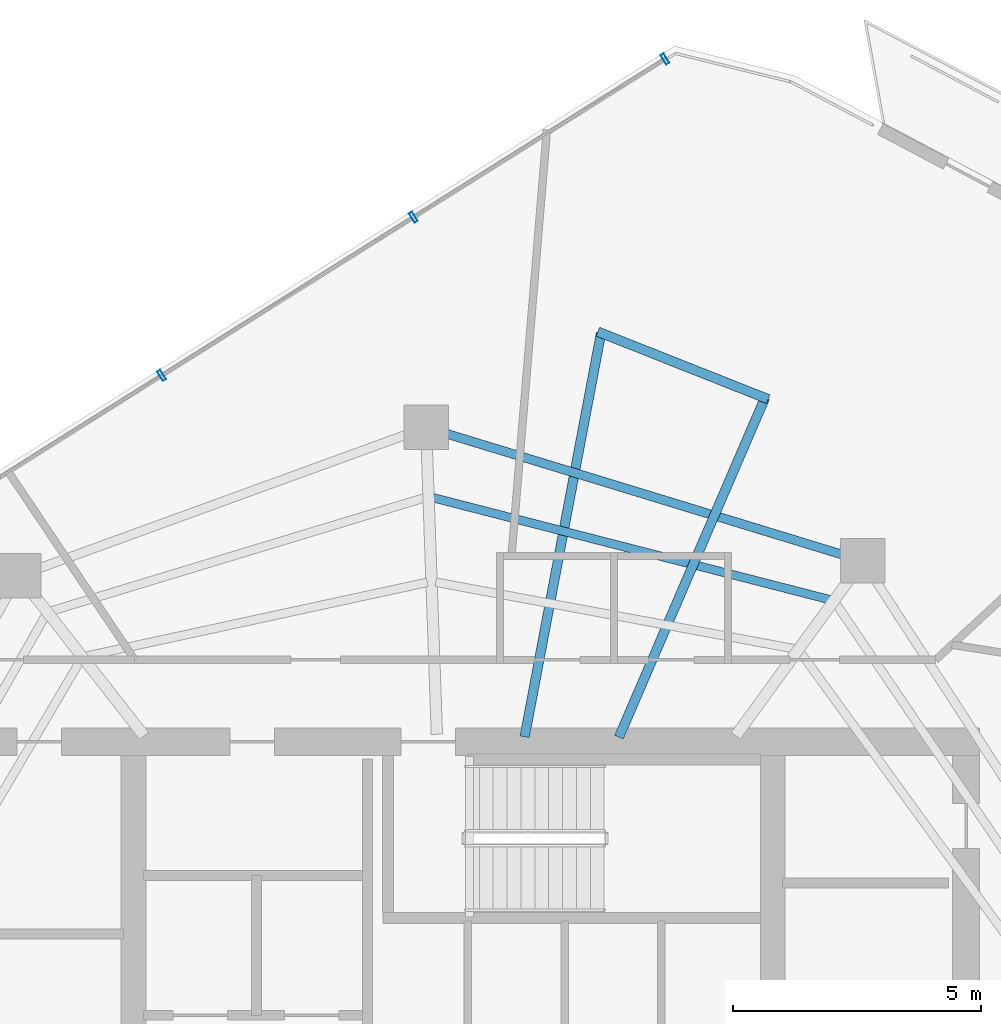
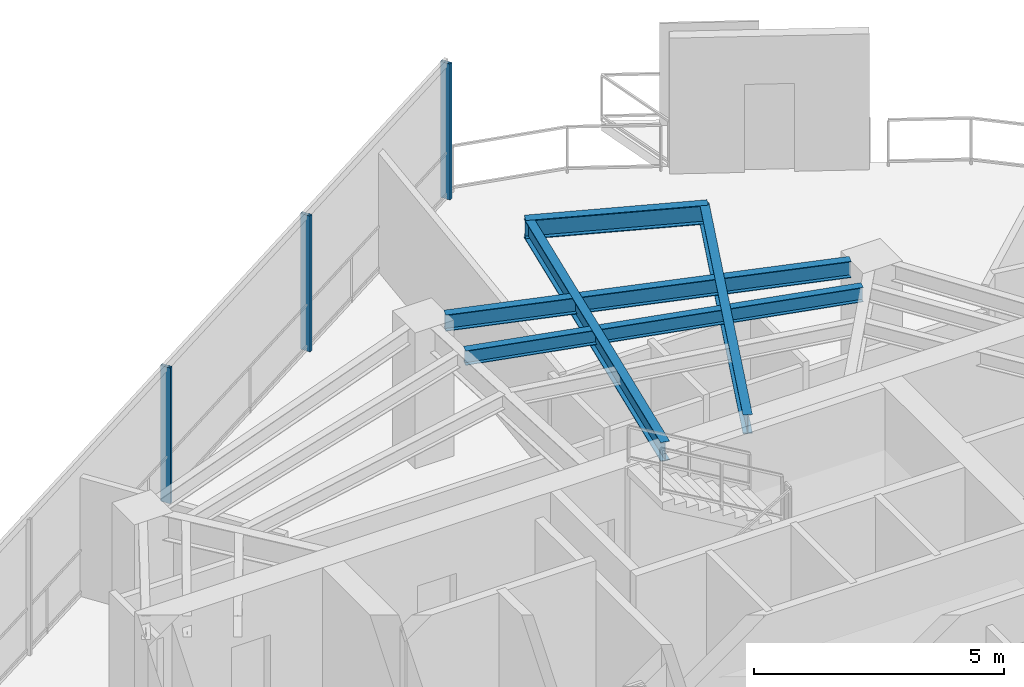
# One storey, part 12 of 19: 5 beams, 3 members, 1 element without a shape of its own.
"""IFC4 building model written with IfcOpenShell, lengths in metres."""

from ifc_helpers import new_model, si_unit, direction, frame, origin, origin_2d, place, context, subcontext, project, spatial, hollow_rectangle, i_section, extrude, material, layer, layer_set, material_profile, profile_set, type_object, element, aggregate, save


model = new_model("IFC4")

# Units and contexts
model_context = context("Model", 3, precision=1e-05, world=origin(), true_north=direction((0.0, 1.0)))
body_context = subcontext(model_context, "Body", "Model", "MODEL_VIEW")
ifc_project = project(units=[si_unit("LENGTHUNIT", "METRE"), si_unit("AREAUNIT", "SQUARE_METRE"), si_unit("VOLUMEUNIT", "CUBIC_METRE"), si_unit("PLANEANGLEUNIT", "RADIAN"), si_unit("MASSUNIT", "GRAM", prefix="KILO")], contexts=[model_context])

# Site, building, storey
site_placement = place(None, origin())
site = spatial("IfcSite", under=ifc_project, at=site_placement, CompositionType="ELEMENT")
building_placement = place(site_placement, origin())
building = spatial("IfcBuilding", under=site, at=building_placement, Name="Qarnah Convention Tower", CompositionType="ELEMENT")
storey_placement = place(building_placement, frame((0.0, 0.0, 187.800048828125)))
storey = spatial("IfcBuildingStorey", under=building, at=storey_placement, Name="L50", CompositionType="ELEMENT", Elevation=187.800048828125)

# Beams
ifc_material_1 = material(Name="Structural steel S355JR", Category="steel")
ifc_material_profile_1 = material_profile(ifc_material_1, i_section(OverallWidth=0.19189453125, OverallDepth=0.464111328125, WebThickness=0.010986328125, FlangeThickness=0.01806640625, at=origin_2d()), Name="W460X89")
ifc_profile_set_1 = profile_set([ifc_material_profile_1], Name="Structural steel S355JR")
beam_type_1 = type_object("IfcBeamType", Name="BM-CANT-W460A", PredefinedType="BEAM", material=ifc_profile_set_1)
beam_1_placement = place(storey_placement, frame((40.596923828125, 34.2919921875, 3.087890625), z_axis=(0.395334358974, 0.91853728537, 0.0), x_axis=(-0.91853728537, 0.395334358974, 0.0)))
element("IfcBeam", 1, at=beam_1_placement, inside=storey, type_object=beam_type_1, Name="L50 beam BM-L50-CNT-01-1", PredefinedType="BEAM", context=body_context, shape_type="SweptSolid", body=[
    extrude(i_section(OverallWidth=0.19189453125, OverallDepth=0.464111328125, WebThickness=0.010986328125, FlangeThickness=0.01806640625, at=origin_2d()), origin(), (0.0, 0.0, 1.0), 7.4521484375),
])
beam_2_placement = place(storey_placement, frame((38.694091796875, 34.298095703125, 3.087890625), z_axis=(0.185927001241, 0.982563560392, 0.0), x_axis=(-0.982563560392, 0.185927001241, 0.0)))
element("IfcBeam", 2, at=beam_2_placement, inside=storey, type_object=beam_type_1, Name="L50 beam BM-L50-CNT-01-2", PredefinedType="BEAM", context=body_context, shape_type="SweptSolid", body=[
    extrude(i_section(OverallWidth=0.19189453125, OverallDepth=0.464111328125, WebThickness=0.010986328125, FlangeThickness=0.01806640625, at=origin_2d()), origin(), (0.0, 0.0, 1.0), 8.29345703125),
])
beam_3_placement = place(storey_placement, frame((43.60791015625, 41.111083984375, 3.087890625), z_axis=(-0.929683207284, 0.368360060394, 0.0), x_axis=(-0.368360060394, -0.929683207284, 0.0)))
element("IfcBeam", 3, at=beam_3_placement, inside=storey, type_object=beam_type_1, Name="L50 spandrel BM-L50-CTIE-01", PredefinedType="SPANDREL", context=body_context, shape_type="SweptSolid", body=[
    extrude(i_section(OverallWidth=0.19189453125, OverallDepth=0.464111328125, WebThickness=0.010986328125, FlangeThickness=0.01806640625, at=origin_2d()), origin(), (0.0, 0.0, 1.0), 3.697021484375),
])
ifc_material_profile_2 = material_profile(ifc_material_1, i_section(OverallWidth=0.172119140625, OverallDepth=0.35595703125, WebThickness=0.007080078125, FlangeThickness=0.011962890625, at=origin_2d()), Name="W360X51")
ifc_profile_set_2 = profile_set([ifc_material_profile_2], Name="Structural steel S355JR")
beam_type_2 = type_object("IfcBeamType", Name="BM-JST-W360", PredefinedType="JOIST", material=ifc_profile_set_2)
beam_4_placement = place(storey_placement, frame((44.846923828125, 37.06689453125, 3.141845703125), z_axis=(-0.968529970229, 0.248896960142, 0.0), x_axis=(-0.248896960142, -0.968529970229, 0.0)))
element("IfcBeam", 4, at=beam_4_placement, inside=storey, type_object=beam_type_2, Name="L50 joist BM-L50-SJST-02", PredefinedType="JOIST", context=body_context, shape_type="SweptSolid", body=[
    extrude(i_section(OverallWidth=0.172119140625, OverallDepth=0.35595703125, WebThickness=0.007080078125, FlangeThickness=0.011962890625, at=origin_2d()), origin(), (0.0, 0.0, 1.0), 8.264892578125),
])
ifc_material_profile_3 = material_profile(ifc_material_1, i_section(OverallWidth=0.179931640625, OverallDepth=0.39990234375, WebThickness=0.009033203125, FlangeThickness=0.013916015625, at=origin_2d()), Name="IPE400")
ifc_profile_set_3 = profile_set([ifc_material_profile_3], Name="Structural steel S355JR")
beam_type_3 = type_object("IfcBeamType", Name="BM-SPN-IPE400", PredefinedType="SPANDREL", material=ifc_profile_set_3)
beam_5_placement = place(storey_placement, frame((45.095947265625, 37.97705078125, 3.119873046875), z_axis=(-0.956348614223, 0.292228212318, 0.0), x_axis=(-0.292228212318, -0.956348614223, 0.0)))
element("IfcBeam", 5, at=beam_5_placement, inside=storey, type_object=beam_type_3, Name="L50 spandrel BM-L50-SPN-02", PredefinedType="SPANDREL", context=body_context, shape_type="SweptSolid", body=[
    extrude(i_section(OverallWidth=0.179931640625, OverallDepth=0.39990234375, WebThickness=0.009033203125, FlangeThickness=0.013916015625, at=origin_2d()), origin(), (0.0, 0.0, 1.0), 8.332763671875),
])

# Curtain wall, members
ifc_material_2 = material(Name="Tempered Low-E dark glass", Category="glass")
ifc_layer = layer(ifc_material_2, 0.174072265625)
ifc_layer_set = layer_set([ifc_layer], Name="Tempered Low-E dark glass")
curtain_wall_type = type_object("IfcCurtainWallType", Name="CWS-04", PredefinedType="NOTDEFINED", material=ifc_layer_set)
curtain_wall_placement = place(storey_placement, origin())
curtain_wall = element("IfcCurtainWall", 6, at=curtain_wall_placement, inside=storey, type_object=curtain_wall_type, Name="L50 unitised curtain wall CW-L50-F3", PredefinedType="NOTDEFINED")
ifc_material_3 = material(Name="Black anodised aluminium", Category="aluminium")
ifc_material_profile_4 = material_profile(ifc_material_3, hollow_rectangle(XDim=0.074951171875, YDim=0.219970703125, WallThickness=0.0048828125, at=origin_2d()), Name="MUL-75X220")
ifc_profile_set_4 = profile_set([ifc_material_profile_4], Name="Black anodised aluminium")
member_type = type_object("IfcMemberType", Name="MUL-T4", PredefinedType="MULLION", material=ifc_profile_set_4)
member_1_placement = place(storey_placement, frame((31.3701171875, 41.59130859375, 0.0), z_axis=(0.0, 0.0, 1.0), x_axis=(0.846567866925, 0.532280796845, 0.0)))
member_1 = element("IfcMember", 7, at=member_1_placement, type_object=member_type, Name="CW-L50-F3 mullion 4", PredefinedType="MULLION", context=body_context, shape_type="SweptSolid", body=[
    extrude(hollow_rectangle(XDim=0.074951171875, YDim=0.219970703125, WallThickness=0.0048828125, at=origin_2d()), origin(), (0.0, 0.0, 1.0), 3.320068359375),
])
member_2_placement = place(storey_placement, frame((36.447998046875, 44.7841796875, 0.0), z_axis=(0.0, 0.0, 1.0), x_axis=(0.846567866925, 0.532280796845, 0.0)))
member_2 = element("IfcMember", 8, at=member_2_placement, type_object=member_type, Name="CW-L50-F3 mullion 5", PredefinedType="MULLION", context=body_context, shape_type="SweptSolid", body=[
    extrude(hollow_rectangle(XDim=0.074951171875, YDim=0.219970703125, WallThickness=0.0048828125, at=origin_2d()), origin(), (0.0, 0.0, 1.0), 3.320068359375),
])
member_3_placement = place(storey_placement, frame((41.52587890625, 47.97705078125, 0.0), z_axis=(0.0, 0.0, 1.0), x_axis=(0.846567866925, 0.532280796845, 0.0)))
member_3 = element("IfcMember", 9, at=member_3_placement, type_object=member_type, Name="CW-L50-F3 mullion 6", PredefinedType="MULLION", context=body_context, shape_type="SweptSolid", body=[
    extrude(hollow_rectangle(XDim=0.074951171875, YDim=0.219970703125, WallThickness=0.0048828125, at=origin_2d()), origin(), (0.0, 0.0, 1.0), 3.320068359375),
])
aggregate(curtain_wall, [member_1, member_2, member_3])

save(model, "model.ifc")
